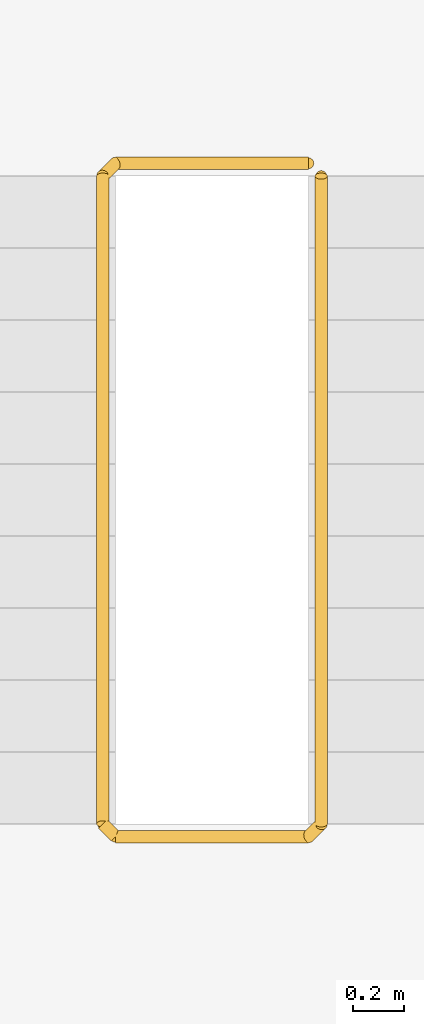
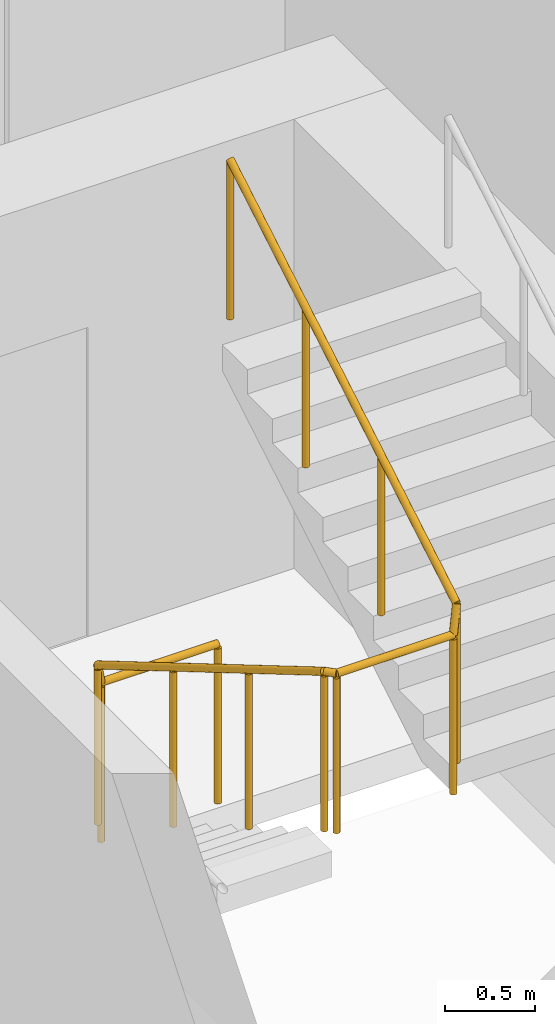
# One storey, part 9 of 10: 1 railing.
"""IFC4 building model written with IfcOpenShell, lengths in metres."""

from ifc_helpers import new_model, si_unit, direction, frame, origin, origin_2d, place, context, subcontext, project, spatial, circle, extrude, material, type_object, element, save


model = new_model("IFC4")

# Units and contexts
model_context = context("Model", 3, precision=1e-05, world=origin(), true_north=direction((0.0, 1.0)))
body_context = subcontext(model_context, "Body", "Model", "MODEL_VIEW")
ifc_project = project(units=[si_unit("LENGTHUNIT", "METRE"), si_unit("AREAUNIT", "SQUARE_METRE"), si_unit("VOLUMEUNIT", "CUBIC_METRE"), si_unit("PLANEANGLEUNIT", "RADIAN"), si_unit("MASSUNIT", "GRAM", prefix="KILO")], contexts=[model_context])

# Site, building, storey
site_placement = place(None, origin())
site = spatial("IfcSite", under=ifc_project, at=site_placement, CompositionType="ELEMENT")
building_placement = place(site_placement, origin())
building = spatial("IfcBuilding", under=site, at=building_placement, Name="Amberfall Residences", CompositionType="ELEMENT")
storey_placement = place(building_placement, frame((0.0, 0.0, 206.800048828125)))
storey = spatial("IfcBuildingStorey", under=building, at=storey_placement, Name="L55", CompositionType="ELEMENT", Elevation=206.800048828125)

# Railing
ifc_material = material(Name="Stainless steel 316", Category="steel")
railing_type = type_object("IfcRailingType", Name="Stair guard 1100", PredefinedType="GUARDRAIL", material=ifc_material)
railing_placement = place(storey_placement, frame((84.39990234375, 55.14990234375, 0.0)))
element("IfcRailing", 1, at=railing_placement, inside=storey, type_object=railing_type, Name="L55 stair 3 guard", PredefinedType="GUARDRAIL", context=body_context, shape_type="SweptSolid", body=[
    extrude(circle(Radius=0.02392578125, at=origin_2d()), frame((0.0, 0.0, 1.076171875), z_axis=(-1.0, 0.0, 0.0), x_axis=(0.0, -1.0, 0.0)), (0.0, 0.0, 1.0), 0.75),
    extrude(circle(Radius=0.02392578125, at=origin_2d()), frame((-0.75, 0.0, 1.076171875), z_axis=(-0.27755538755, -0.27755538755, 0.919742362667), x_axis=(0.707106781187, -0.707106781187, 0.0)), (0.0, 0.0, 1.0), 0.179443359375),
    extrude(circle(Radius=0.02392578125, at=origin_2d()), frame((-0.7998046875, -0.0498046875, 1.2412109375), z_axis=(0.0, -0.861560626758, 0.507654692109), x_axis=(1.0, 0.0, 0.0)), (0.0, 0.0, 1.0), 2.925048828125),
    extrude(circle(Radius=0.02392578125, at=origin_2d()), frame((-0.7998046875, -2.56982421875, 2.72607421875), z_axis=(0.705375805398, -0.708833529934, 0.0), x_axis=(0.708833529934, 0.705375805398, 0.0)), (0.0, 0.0, 1.0), 0.070556640625),
    extrude(circle(Radius=0.02392578125, at=origin_2d()), frame((-0.75, -2.619873046875, 2.72607421875), z_axis=(1.0, 0.0, 0.0), x_axis=(0.0, 1.0, 0.0)), (0.0, 0.0, 1.0), 0.75),
    extrude(circle(Radius=0.02392578125, at=origin_2d()), frame((0.0, -2.619873046875, 2.72607421875), z_axis=(0.278705021027, 0.278705021027, 0.919046801044), x_axis=(-0.707106781187, 0.707106781187, 0.0)), (0.0, 0.0, 1.0), 0.1796875),
    extrude(circle(Radius=0.02392578125, at=origin_2d()), frame((0.050048828125, -2.56982421875, 2.89111328125), z_axis=(0.0, 0.86152411907, 0.507716645641), x_axis=(-1.0, 0.0, 0.0)), (0.0, 0.0, 1.0), 2.925048828125),
    extrude(circle(Radius=0.02099609375, at=origin_2d()), origin(), (0.0, 0.0, 1.0), 1.052001953125),
    extrude(circle(Radius=0.02099609375, at=origin_2d()), frame((-0.75, 0.0, 0.0)), (0.0, 0.0, 1.0), 1.052001953125),
    extrude(circle(Radius=0.02099609375, at=origin_2d()), frame((-0.7998046875, -0.0498046875, 0.1650390625)), (0.0, 0.0, 1.0), 1.052001953125),
    extrude(circle(Radius=0.02099609375, at=origin_2d()), frame((-0.7998046875, -0.889892578125, 0.659912109375)), (0.0, 0.0, 1.0), 1.052001953125),
    extrude(circle(Radius=0.02099609375, at=origin_2d()), frame((-0.7998046875, -1.729736328125, 1.155029296875)), (0.0, 0.0, 1.0), 1.052001953125),
    extrude(circle(Radius=0.02099609375, at=origin_2d()), frame((-0.7998046875, -2.56982421875, 1.64990234375)), (0.0, 0.0, 1.0), 1.052001953125),
    extrude(circle(Radius=0.02099609375, at=origin_2d()), frame((-0.75, -2.619873046875, 1.64990234375)), (0.0, 0.0, 1.0), 1.052001953125),
    extrude(circle(Radius=0.02099609375, at=origin_2d()), frame((0.0, -2.619873046875, 1.64990234375)), (0.0, 0.0, 1.0), 1.052001953125),
    extrude(circle(Radius=0.02099609375, at=origin_2d()), frame((0.050048828125, -2.56982421875, 1.81494140625)), (0.0, 0.0, 1.0), 1.052001953125),
    extrude(circle(Radius=0.02099609375, at=origin_2d()), frame((0.050048828125, -1.729736328125, 2.31005859375)), (0.0, 0.0, 1.0), 1.052001953125),
    extrude(circle(Radius=0.02099609375, at=origin_2d()), frame((0.050048828125, -0.889892578125, 2.804931640625)), (0.0, 0.0, 1.0), 1.052001953125),
    extrude(circle(Radius=0.02099609375, at=origin_2d()), frame((0.050048828125, -0.0498046875, 3.300048828125)), (0.0, 0.0, 1.0), 1.052001953125),
])

save(model, "model.ifc")
